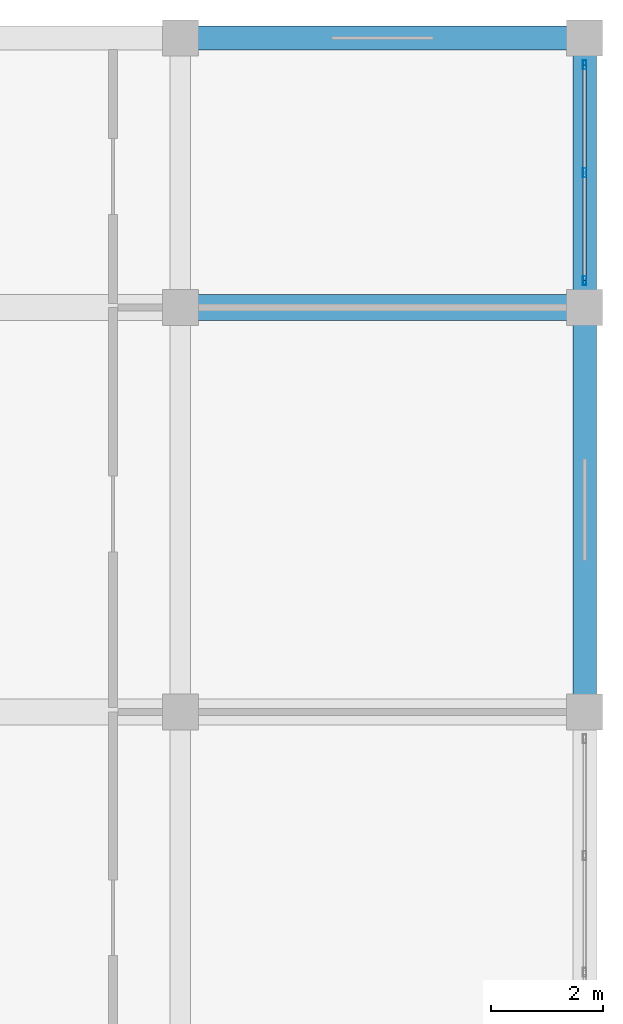
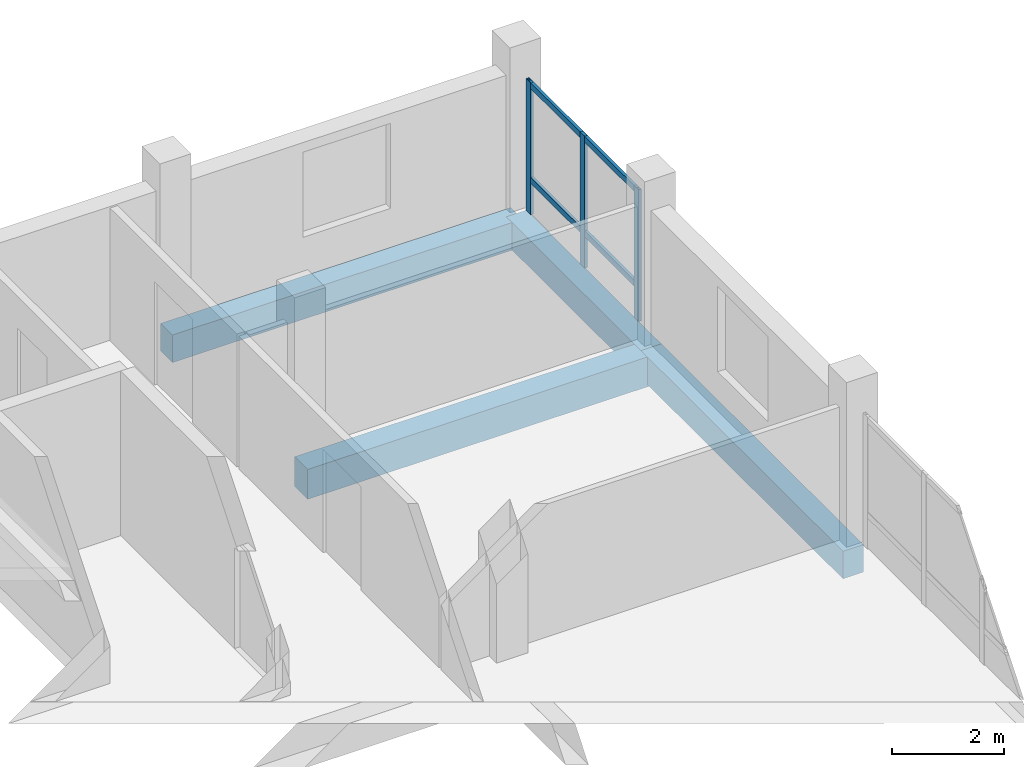
# One storey, part 95 of 128: 5 members, 4 beams, 1 element without a shape of its own.
"""IFC4 building model written with IfcOpenShell, lengths in metres."""

from ifc_helpers import new_model, si_unit, direction, frame, origin, origin_2d, place, context, subcontext, project, spatial, rectangle, hollow_rectangle, extrude, material, material_profile, profile_set, type_object, element, aggregate, save


model = new_model("IFC4")

# Units and contexts
model_context = context("Model", 3, precision=1e-05, world=origin(), true_north=direction((0.0, 1.0)))
body_context = subcontext(model_context, "Body", "Model", "MODEL_VIEW")
ifc_project = project(units=[si_unit("LENGTHUNIT", "METRE"), si_unit("AREAUNIT", "SQUARE_METRE"), si_unit("VOLUMEUNIT", "CUBIC_METRE"), si_unit("PLANEANGLEUNIT", "RADIAN"), si_unit("MASSUNIT", "GRAM", prefix="KILO")], contexts=[model_context])

# Site, building, storey
site_placement = place(None, origin())
site = spatial("IfcSite", under=ifc_project, at=site_placement, CompositionType="ELEMENT")
building_placement = place(site_placement, origin())
building = spatial("IfcBuilding", under=site, at=building_placement, Name="Zornivar Specialist Clinic", CompositionType="ELEMENT")
storey_placement = place(building_placement, frame((0.0, 0.0, 4.5)))
storey = spatial("IfcBuildingStorey", under=building, at=storey_placement, Name="L01", CompositionType="ELEMENT", Elevation=4.5)

# Beams
ifc_material_1 = material(Name="Concrete C30/37", Category="concrete")
ifc_material_profile_1 = material_profile(ifc_material_1, rectangle(XDim=0.4599609375, YDim=0.64990234375, at=origin_2d()), Name="RC 460x650")
ifc_profile_set_1 = profile_set([ifc_material_profile_1], Name="Concrete C30/37")
beam_type_1 = type_object("IfcBeamType", Name="BM-RC-460x650", PredefinedType="BEAM", material=ifc_profile_set_1)
beam_1_placement = place(storey_placement, frame((158.39990234375, 108.0, -0.64501953125), z_axis=(1.0, 0.0, 0.0), x_axis=(0.0, 1.0, 0.0)))
element("IfcBeam", 1, at=beam_1_placement, inside=storey, type_object=beam_type_1, Name="bm:V6:L01:x:1080:3", PredefinedType="BEAM", context=body_context, shape_type="SweptSolid", body=[
    extrude(rectangle(XDim=0.4599609375, YDim=0.64990234375, at=origin_2d()), origin(), (0.0, 0.0, 1.0), 7.2001953125),
])
ifc_material_2 = material(Name="Concrete C30/37", Category="concrete")
ifc_material_profile_2 = material_profile(ifc_material_2, rectangle(XDim=0.419921875, YDim=0.60009765625, at=origin_2d()), Name="RC 420x600")
ifc_profile_set_2 = profile_set([ifc_material_profile_2], Name="Concrete C30/37")
beam_type_2 = type_object("IfcBeamType", Name="BM-RC-SPANDREL-420x600", PredefinedType="SPANDREL", material=ifc_profile_set_2)
beam_2_placement = place(storey_placement, frame((158.39990234375, 112.800048828125, -0.6201171875), z_axis=(1.0, 0.0, 0.0), x_axis=(0.0, 1.0, 0.0)))
element("IfcBeam", 2, at=beam_2_placement, inside=storey, type_object=beam_type_2, Name="bm:V6:L01:x:1128:3", PredefinedType="SPANDREL", context=body_context, shape_type="SweptSolid", body=[
    extrude(rectangle(XDim=0.419921875, YDim=0.60009765625, at=origin_2d()), origin(), (0.0, 0.0, 1.0), 7.2001953125),
])
beam_3_placement = place(storey_placement, frame((165.60009765625, 100.800048828125, -0.6201171875), z_axis=(0.0, 1.0, 0.0), x_axis=(-1.0, 0.0, 0.0)))
element("IfcBeam", 3, at=beam_3_placement, inside=storey, type_object=beam_type_2, Name="bm:V6:L01:y:1656:5", PredefinedType="SPANDREL", context=body_context, shape_type="SweptSolid", body=[
    extrude(rectangle(XDim=0.419921875, YDim=0.60009765625, at=origin_2d()), origin(), (0.0, 0.0, 1.0), 7.199951171875),
])
beam_4_placement = place(storey_placement, frame((165.60009765625, 108.0, -0.6201171875), z_axis=(0.0, 1.0, 0.0), x_axis=(-1.0, 0.0, 0.0)))
element("IfcBeam", 4, at=beam_4_placement, inside=storey, type_object=beam_type_2, Name="bm:V6:L01:y:1656:6", PredefinedType="SPANDREL", context=body_context, shape_type="SweptSolid", body=[
    extrude(rectangle(XDim=0.419921875, YDim=0.60009765625, at=origin_2d()), origin(), (0.0, 0.0, 1.0), 4.800048828125),
])

# Curtain wall, members
ifc_material_3 = material(Name="Aluminium and Low-E Glass Curtain Wall", Category="aluminium")
curtain_wall_type = type_object("IfcCurtainWallType", Name="CW-LAB-NORTH", PredefinedType="NOTDEFINED", material=ifc_material_3)
curtain_wall_placement = place(storey_placement, origin())
curtain_wall = element("IfcCurtainWall", 5, at=curtain_wall_placement, inside=storey, type_object=curtain_wall_type, Name="cw:V6:L01:10", PredefinedType="NOTDEFINED")
ifc_material_4 = material(Name="Aluminium AW-6060", Category="aluminium")
ifc_material_profile_3 = material_profile(ifc_material_4, hollow_rectangle(XDim=0.06005859375, YDim=0.159912109375, WallThickness=0.00390625, at=origin_2d()), Name="ALU 60x160x4")
ifc_profile_set_3 = profile_set([ifc_material_profile_3], Name="Aluminium AW-6060")
member_type_1 = type_object("IfcMemberType", Name="CWM-MUL-160", PredefinedType="MULLION", material=ifc_profile_set_3)
member_1_placement = place(storey_placement, frame((165.60009765625, 108.47998046875, 0.0), z_axis=(0.0, 0.0, 1.0), x_axis=(1.0, 0.0, 0.0)))
member_1 = element("IfcMember", 6, at=member_1_placement, type_object=member_type_1, Name="cw:V6:L01:10:mul:0", PredefinedType="MULLION", context=body_context, shape_type="SweptSolid", body=[
    extrude(hollow_rectangle(XDim=0.06005859375, YDim=0.159912109375, WallThickness=0.00390625, at=origin_2d()), origin(), (0.0, 0.0, 1.0), 2.8701171875),
])
member_2_placement = place(storey_placement, frame((165.60009765625, 110.39990234375, 0.0), z_axis=(0.0, 0.0, 1.0), x_axis=(1.0, 0.0, 0.0)))
member_2 = element("IfcMember", 7, at=member_2_placement, type_object=member_type_1, Name="cw:V6:L01:10:mul:1", PredefinedType="MULLION", context=body_context, shape_type="SweptSolid", body=[
    extrude(hollow_rectangle(XDim=0.06005859375, YDim=0.159912109375, WallThickness=0.00390625, at=origin_2d()), origin(), (0.0, 0.0, 1.0), 2.8701171875),
])
member_3_placement = place(storey_placement, frame((165.60009765625, 112.320068359375, 0.0), z_axis=(0.0, 0.0, 1.0), x_axis=(1.0, 0.0, 0.0)))
member_3 = element("IfcMember", 8, at=member_3_placement, type_object=member_type_1, Name="cw:V6:L01:10:mul:2", PredefinedType="MULLION", context=body_context, shape_type="SweptSolid", body=[
    extrude(hollow_rectangle(XDim=0.06005859375, YDim=0.159912109375, WallThickness=0.00390625, at=origin_2d()), origin(), (0.0, 0.0, 1.0), 2.8701171875),
])
ifc_material_5 = material(Name="Aluminium AW-6060", Category="aluminium")
ifc_material_profile_4 = material_profile(ifc_material_5, hollow_rectangle(XDim=0.06005859375, YDim=0.1298828125, WallThickness=0.00390625, at=origin_2d()), Name="ALU 60x130x4")
ifc_profile_set_4 = profile_set([ifc_material_profile_4], Name="Aluminium AW-6060")
member_type_2 = type_object("IfcMemberType", Name="CWM-TRN-130", PredefinedType="USERDEFINED", material=ifc_profile_set_4)
member_4_placement = place(storey_placement, frame((165.60009765625, 108.47998046875, 0.74609375), z_axis=(0.0, 1.0, 0.0), x_axis=(-1.0, 0.0, 0.0)))
member_4 = element("IfcMember", 9, at=member_4_placement, type_object=member_type_2, Name="cw:V6:L01:10:trn:0", ObjectType="TRANSOM", PredefinedType="USERDEFINED", context=body_context, shape_type="SweptSolid", body=[
    extrude(hollow_rectangle(XDim=0.06005859375, YDim=0.1298828125, WallThickness=0.00390625, at=origin_2d()), origin(), (0.0, 0.0, 1.0), 3.840087890625),
])
member_5_placement = place(storey_placement, frame((165.60009765625, 108.47998046875, 2.804931640625), z_axis=(0.0, 1.0, 0.0), x_axis=(-1.0, 0.0, 0.0)))
member_5 = element("IfcMember", 10, at=member_5_placement, type_object=member_type_2, Name="cw:V6:L01:10:trn:1", ObjectType="TRANSOM", PredefinedType="USERDEFINED", context=body_context, shape_type="SweptSolid", body=[
    extrude(hollow_rectangle(XDim=0.06005859375, YDim=0.1298828125, WallThickness=0.00390625, at=origin_2d()), origin(), (0.0, 0.0, 1.0), 3.840087890625),
])
aggregate(curtain_wall, [member_1, member_2, member_3, member_4, member_5])

save(model, "model.ifc")
